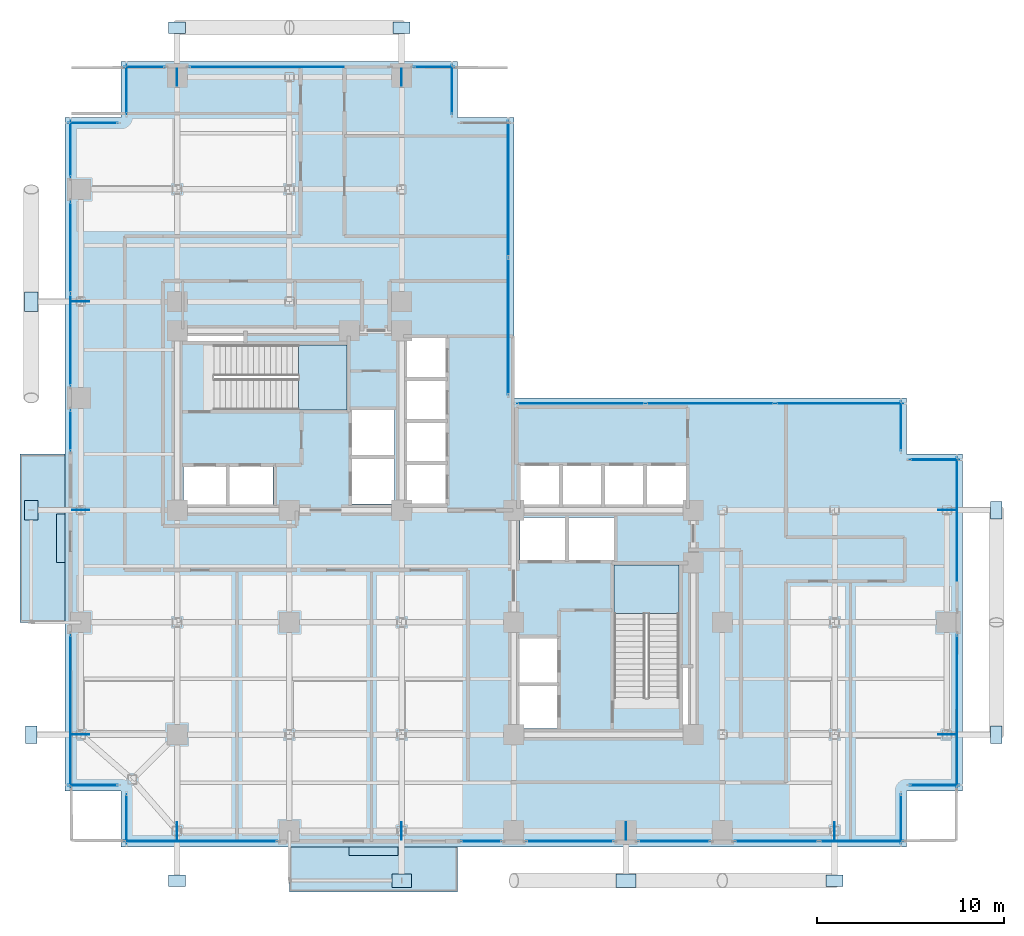
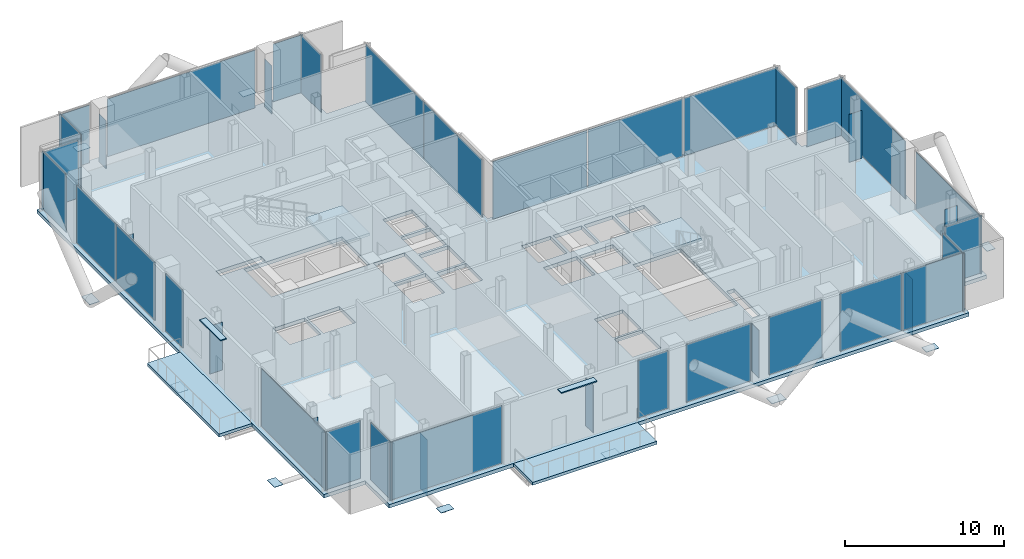
# One storey, part 15 of 25: 54 plates, 5 slabs, 27 elements without a shape of their own.
"""IFC4 building model written with IfcOpenShell, lengths in metres."""

from ifc_helpers import new_model, si_unit, direction, frame, origin, origin_2d, place, context, subcontext, project, spatial, polyline, rectangle, outline, extrude, material, layer, layer_set, type_object, element, aggregate, save


model = new_model("IFC4")

# Units and contexts
model_context = context("Model", 3, precision=1e-05, world=origin(), true_north=direction((0.0, 1.0)))
body_context = subcontext(model_context, "Body", "Model", "MODEL_VIEW")
ifc_project = project(units=[si_unit("LENGTHUNIT", "METRE"), si_unit("AREAUNIT", "SQUARE_METRE"), si_unit("VOLUMEUNIT", "CUBIC_METRE"), si_unit("PLANEANGLEUNIT", "RADIAN"), si_unit("MASSUNIT", "GRAM", prefix="KILO"), si_unit("THERMODYNAMICTEMPERATUREUNIT", "KELVIN"), si_unit("POWERUNIT", "WATT")], contexts=[model_context])

# Site, building, storey
site_placement = place(None, origin())
site = spatial("IfcSite", under=ifc_project, at=site_placement, CompositionType="ELEMENT")
building_placement = place(site_placement, origin())
building = spatial("IfcBuilding", under=site, at=building_placement, Name="Svarakhadi Broadcast Tower", CompositionType="ELEMENT")
storey_placement = place(building_placement, frame((0.0, 0.0, 110.85009765625)))
storey = spatial("IfcBuildingStorey", under=building, at=storey_placement, Name="L26", CompositionType="ELEMENT", Elevation=110.85009765625)

# Curtain wall, plate
ifc_material_1 = material(Name="Anodised Bronze Aluminium AA 6063-T6", Category="aluminium")
ifc_layer_1 = layer(ifc_material_1, 0.239990234375)
ifc_layer_set_1 = layer_set([ifc_layer_1], Name="Anodised Bronze Aluminium AA 6063-T6")
curtain_wall_type = type_object("IfcCurtainWallType", Name="CW_Sys_06", PredefinedType="NOTDEFINED", material=ifc_layer_set_1)
curtain_wall_1_placement = place(storey_placement, origin())
curtain_wall_1 = element("IfcCurtainWall", 1, at=curtain_wall_1_placement, inside=storey, type_object=curtain_wall_type, Name="L26 Unitised Facade Curtain Wall 01", PredefinedType="NOTDEFINED")
ifc_material_2 = material(Name="Double Low-E Laminated Acoustic Glass IGU 36 mm", Category="glass")
ifc_layer_2 = layer(ifc_material_2, 0.0400390625)
ifc_layer_set_2 = layer_set([ifc_layer_2], Name="Double Low-E Laminated Acoustic Glass IGU 36 mm")
plate_type_1 = type_object("IfcPlateType", Name="CW_Sys_06_Pnl", PredefinedType="CURTAIN_PANEL", material=ifc_layer_set_2)
plate_1_placement = place(storey_placement, frame((1.5, 3.300048828125, 0.079833984375), z_axis=(0.0, 0.0, 1.0), x_axis=(-1.0, 0.0, 0.0)))
plate_1 = element("IfcPlate", 2, at=plate_1_placement, type_object=plate_type_1, Name="CW-06 panel 1.1", PredefinedType="CURTAIN_PANEL", context=body_context, shape_type="SweptSolid", body=[
    extrude(rectangle(XDim=2.639892578125, YDim=0.0400390625, at=origin_2d()), origin(), (0.0, 0.0, 1.0), 4.4150390625),
])
aggregate(curtain_wall_1, [plate_1])

curtain_wall_2_placement = place(storey_placement, origin())
curtain_wall_2 = element("IfcCurtainWall", 3, at=curtain_wall_2_placement, inside=storey, type_object=curtain_wall_type, Name="L26 West Curtain Wall 02", PredefinedType="NOTDEFINED")
plate_2_placement = place(storey_placement, frame((0.300048828125, 7.260009765625, 0.079833984375), z_axis=(0.0, 0.0, 1.0), x_axis=(0.0, 1.0, 0.0)))
plate_2 = element("IfcPlate", 4, at=plate_2_placement, type_object=plate_type_1, Name="CW-06 panel 1.1", PredefinedType="CURTAIN_PANEL", context=body_context, shape_type="SweptSolid", body=[
    extrude(rectangle(XDim=8.159912109375, YDim=0.0400390625, at=origin_2d()), origin(), (0.0, 0.0, 1.0), 4.4150390625),
])
aggregate(curtain_wall_2, [plate_2])

curtain_wall_3_placement = place(storey_placement, origin())
curtain_wall_3 = element("IfcCurtainWall", 5, at=curtain_wall_3_placement, inside=storey, type_object=curtain_wall_type, Name="L26 West Curtain Wall 03 Bay 1", PredefinedType="NOTDEFINED")
plate_3_placement = place(storey_placement, frame((0.300048828125, 22.260009765625, 0.079833984375), z_axis=(0.0, 0.0, 1.0), x_axis=(0.0, 1.0, 0.0)))
plate_3 = element("IfcPlate", 6, at=plate_3_placement, type_object=plate_type_1, Name="CW-06 panel 1.1", PredefinedType="CURTAIN_PANEL", context=body_context, shape_type="SweptSolid", body=[
    extrude(rectangle(XDim=2.159912109375, YDim=0.0400390625, at=origin_2d()), origin(), (0.0, 0.0, 1.0), 4.4150390625),
])
aggregate(curtain_wall_3, [plate_3])

# Curtain wall, plates
curtain_wall_4_placement = place(storey_placement, origin())
curtain_wall_4 = element("IfcCurtainWall", 7, at=curtain_wall_4_placement, inside=storey, type_object=curtain_wall_type, Name="L26 West Curtain Wall 03 Bay 2", PredefinedType="NOTDEFINED")
plate_4_placement = place(storey_placement, frame((0.300048828125, 27.094970703125, 0.079833984375), z_axis=(0.0, 0.0, 1.0), x_axis=(0.0, 1.0, 0.0)))
plate_4 = element("IfcPlate", 8, at=plate_4_placement, type_object=plate_type_1, Name="CW-06 panel 1.1", PredefinedType="CURTAIN_PANEL", context=body_context, shape_type="SweptSolid", body=[
    extrude(rectangle(XDim=4.8701171875, YDim=0.0400390625, at=origin_2d()), origin(), (0.0, 0.0, 1.0), 4.4150390625),
])
plate_5_placement = place(storey_placement, frame((0.300048828125, 32.054931640625, 0.079833984375), z_axis=(0.0, 0.0, 1.0), x_axis=(0.0, 1.0, 0.0)))
plate_5 = element("IfcPlate", 9, at=plate_5_placement, type_object=plate_type_1, Name="CW-06 panel 2.1", PredefinedType="CURTAIN_PANEL", context=body_context, shape_type="SweptSolid", body=[
    extrude(rectangle(XDim=4.8701171875, YDim=0.0400390625, at=origin_2d()), origin(), (0.0, 0.0, 1.0), 4.4150390625),
])
aggregate(curtain_wall_4, [plate_4, plate_5])

# Curtain wall, plate
curtain_wall_5_placement = place(storey_placement, origin())
curtain_wall_5 = element("IfcCurtainWall", 10, at=curtain_wall_5_placement, inside=storey, type_object=curtain_wall_type, Name="L26 West Curtain Wall 03 Bay 3", PredefinedType="NOTDEFINED")
plate_6_placement = place(storey_placement, frame((0.300048828125, 37.31494140625, 0.079833984375), z_axis=(0.0, 0.0, 1.0), x_axis=(0.0, 1.0, 0.0)))
plate_6 = element("IfcPlate", 11, at=plate_6_placement, type_object=plate_type_1, Name="CW-06 panel 1.1", PredefinedType="CURTAIN_PANEL", context=body_context, shape_type="SweptSolid", body=[
    extrude(rectangle(XDim=3.010009765625, YDim=0.0400390625, at=origin_2d()), origin(), (0.0, 0.0, 1.0), 4.4150390625),
])
aggregate(curtain_wall_5, [plate_6])

curtain_wall_6_placement = place(storey_placement, origin())
curtain_wall_6 = element("IfcCurtainWall", 12, at=curtain_wall_6_placement, inside=storey, type_object=curtain_wall_type, Name="L26 Unitised Facade Curtain Wall 04", PredefinedType="NOTDEFINED")
plate_7_placement = place(storey_placement, frame((1.5, 38.699951171875, 0.079833984375), z_axis=(0.0, 0.0, 1.0), x_axis=(1.0, 0.0, 0.0)))
plate_7 = element("IfcPlate", 13, at=plate_7_placement, type_object=plate_type_1, Name="CW-06 panel 1.1", PredefinedType="CURTAIN_PANEL", context=body_context, shape_type="SweptSolid", body=[
    extrude(rectangle(XDim=2.639892578125, YDim=0.0400390625, at=origin_2d()), origin(), (0.0, 0.0, 1.0), 4.4150390625),
])
aggregate(curtain_wall_6, [plate_7])

curtain_wall_7_placement = place(storey_placement, origin())
curtain_wall_7 = element("IfcCurtainWall", 14, at=curtain_wall_7_placement, inside=storey, type_object=curtain_wall_type, Name="L26 Unitised Facade Curtain Wall 05", PredefinedType="NOTDEFINED")
plate_8_placement = place(storey_placement, frame((3.300048828125, 40.5, 0.079833984375), z_axis=(0.0, 0.0, 1.0), x_axis=(0.0, 1.0, 0.0)))
plate_8 = element("IfcPlate", 15, at=plate_8_placement, type_object=plate_type_1, Name="CW-06 panel 1.1", PredefinedType="CURTAIN_PANEL", context=body_context, shape_type="SweptSolid", body=[
    extrude(rectangle(XDim=2.639892578125, YDim=0.0400390625, at=origin_2d()), origin(), (0.0, 0.0, 1.0), 4.4150390625),
])
aggregate(curtain_wall_7, [plate_8])

curtain_wall_8_placement = place(storey_placement, origin())
curtain_wall_8 = element("IfcCurtainWall", 16, at=curtain_wall_8_placement, inside=storey, type_object=curtain_wall_type, Name="L26 Unitised Facade Curtain Wall 06 Bay 1", PredefinedType="NOTDEFINED")
plate_9_placement = place(storey_placement, frame((4.260009765625, 41.699951171875, 0.079833984375), z_axis=(0.0, 0.0, 1.0), x_axis=(1.0, 0.0, 0.0)))
plate_9 = element("IfcPlate", 17, at=plate_9_placement, type_object=plate_type_1, Name="CW-06 panel 1.1", PredefinedType="CURTAIN_PANEL", context=body_context, shape_type="SweptSolid", body=[
    extrude(rectangle(XDim=2.159912109375, YDim=0.0400390625, at=origin_2d()), origin(), (0.0, 0.0, 1.0), 4.4150390625),
])
aggregate(curtain_wall_8, [plate_9])

curtain_wall_9_placement = place(storey_placement, origin())
curtain_wall_9 = element("IfcCurtainWall", 18, at=curtain_wall_9_placement, inside=storey, type_object=curtain_wall_type, Name="L26 Unitised Facade Curtain Wall 06 Bay 2", PredefinedType="NOTDEFINED")
plate_10_placement = place(storey_placement, frame((12.0, 41.699951171875, 0.079833984375), z_axis=(0.0, 0.0, 1.0), x_axis=(1.0, 0.0, 0.0)))
plate_10 = element("IfcPlate", 19, at=plate_10_placement, type_object=plate_type_1, Name="CW-06 panel 1.1", PredefinedType="CURTAIN_PANEL", context=body_context, shape_type="SweptSolid", body=[
    extrude(rectangle(XDim=10.679931640625, YDim=0.0400390625, at=origin_2d()), origin(), (0.0, 0.0, 1.0), 4.4150390625),
])
aggregate(curtain_wall_9, [plate_10])

curtain_wall_10_placement = place(storey_placement, origin())
curtain_wall_10 = element("IfcCurtainWall", 20, at=curtain_wall_10_placement, inside=storey, type_object=curtain_wall_type, Name="L26 Unitised Facade Curtain Wall 06 Bay 3", PredefinedType="NOTDEFINED")
plate_11_placement = place(storey_placement, frame((19.739990234375, 41.699951171875, 0.079833984375), z_axis=(0.0, 0.0, 1.0), x_axis=(1.0, 0.0, 0.0)))
plate_11 = element("IfcPlate", 21, at=plate_11_placement, type_object=plate_type_1, Name="CW-06 panel 1.1", PredefinedType="CURTAIN_PANEL", context=body_context, shape_type="SweptSolid", body=[
    extrude(rectangle(XDim=2.159912109375, YDim=0.0400390625, at=origin_2d()), origin(), (0.0, 0.0, 1.0), 4.4150390625),
])
aggregate(curtain_wall_10, [plate_11])

curtain_wall_11_placement = place(storey_placement, origin())
curtain_wall_11 = element("IfcCurtainWall", 22, at=curtain_wall_11_placement, inside=storey, type_object=curtain_wall_type, Name="L26 Unitised Facade Curtain Wall 07", PredefinedType="NOTDEFINED")
plate_12_placement = place(storey_placement, frame((20.699951171875, 40.5, 0.079833984375), z_axis=(0.0, 0.0, 1.0), x_axis=(0.0, -1.0, 0.0)))
plate_12 = element("IfcPlate", 23, at=plate_12_placement, type_object=plate_type_1, Name="CW-06 panel 1.1", PredefinedType="CURTAIN_PANEL", context=body_context, shape_type="SweptSolid", body=[
    extrude(rectangle(XDim=2.639892578125, YDim=0.0400390625, at=origin_2d()), origin(), (0.0, 0.0, 1.0), 4.4150390625),
])
aggregate(curtain_wall_11, [plate_12])

# Curtain wall, plates
curtain_wall_12_placement = place(storey_placement, origin())
curtain_wall_12 = element("IfcCurtainWall", 24, at=curtain_wall_12_placement, inside=storey, type_object=curtain_wall_type, Name="L26 Unitised Facade Curtain Wall 09", PredefinedType="NOTDEFINED")
plate_13_placement = place(storey_placement, frame((23.699951171875, 35.1826171875, 0.079833984375), z_axis=(0.0, 0.0, 1.0), x_axis=(0.0, -1.0, 0.0)))
plate_13 = element("IfcPlate", 25, at=plate_13_placement, type_object=plate_type_1, Name="CW-06 panel 1.1", PredefinedType="CURTAIN_PANEL", context=body_context, shape_type="SweptSolid", body=[
    extrude(rectangle(XDim=7.27490234375, YDim=0.0400390625, at=origin_2d()), origin(), (0.0, 0.0, 1.0), 4.4150390625),
])
plate_14_placement = place(storey_placement, frame((23.699951171875, 27.8173828125, 0.079833984375), z_axis=(0.0, 0.0, 1.0), x_axis=(0.0, -1.0, 0.0)))
plate_14 = element("IfcPlate", 26, at=plate_14_placement, type_object=plate_type_1, Name="CW-06 panel 2.1", PredefinedType="CURTAIN_PANEL", context=body_context, shape_type="SweptSolid", body=[
    extrude(rectangle(XDim=7.27490234375, YDim=0.0400390625, at=origin_2d()), origin(), (0.0, 0.0, 1.0), 4.4150390625),
])
aggregate(curtain_wall_12, [plate_13, plate_14])

curtain_wall_13_placement = place(storey_placement, origin())
curtain_wall_13 = element("IfcCurtainWall", 27, at=curtain_wall_13_placement, inside=storey, type_object=curtain_wall_type, Name="L26 Unitised Facade Curtain Wall 10", PredefinedType="NOTDEFINED")
plate_15_placement = place(storey_placement, frame((27.58251953125, 23.699951171875, 0.079833984375), z_axis=(0.0, 0.0, 1.0), x_axis=(1.0, 0.0, 0.0)))
plate_15 = element("IfcPlate", 28, at=plate_15_placement, type_object=plate_type_1, Name="CW-06 panel 1.1", PredefinedType="CURTAIN_PANEL", context=body_context, shape_type="SweptSolid", body=[
    extrude(rectangle(XDim=6.804931640625, YDim=0.0400390625, at=origin_2d()), origin(), (0.0, 0.0, 1.0), 4.4150390625),
])
plate_16_placement = place(storey_placement, frame((34.5, 23.699951171875, 0.079833984375), z_axis=(0.0, 0.0, 1.0), x_axis=(1.0, 0.0, 0.0)))
plate_16 = element("IfcPlate", 29, at=plate_16_placement, type_object=plate_type_1, Name="CW-06 panel 2.1", PredefinedType="CURTAIN_PANEL", context=body_context, shape_type="SweptSolid", body=[
    extrude(rectangle(XDim=6.85009765625, YDim=0.0400390625, at=origin_2d()), origin(), (0.0, 0.0, 1.0), 4.4150390625),
])
plate_17_placement = place(storey_placement, frame((41.41748046875, 23.699951171875, 0.079833984375), z_axis=(0.0, 0.0, 1.0), x_axis=(1.0, 0.0, 0.0)))
plate_17 = element("IfcPlate", 30, at=plate_17_placement, type_object=plate_type_1, Name="CW-06 panel 3.1", PredefinedType="CURTAIN_PANEL", context=body_context, shape_type="SweptSolid", body=[
    extrude(rectangle(XDim=6.804931640625, YDim=0.0400390625, at=origin_2d()), origin(), (0.0, 0.0, 1.0), 4.4150390625),
])
aggregate(curtain_wall_13, [plate_15, plate_16, plate_17])

# Curtain wall, plate
curtain_wall_14_placement = place(storey_placement, origin())
curtain_wall_14 = element("IfcCurtainWall", 31, at=curtain_wall_14_placement, inside=storey, type_object=curtain_wall_type, Name="L26 Unitised Facade Curtain Wall 11", PredefinedType="NOTDEFINED")
plate_18_placement = place(storey_placement, frame((44.699951171875, 22.5, 0.079833984375), z_axis=(0.0, 0.0, 1.0), x_axis=(0.0, -1.0, 0.0)))
plate_18 = element("IfcPlate", 32, at=plate_18_placement, type_object=plate_type_1, Name="CW-06 panel 1.1", PredefinedType="CURTAIN_PANEL", context=body_context, shape_type="SweptSolid", body=[
    extrude(rectangle(XDim=2.639892578125, YDim=0.0400390625, at=origin_2d()), origin(), (0.0, 0.0, 1.0), 4.4150390625),
])
aggregate(curtain_wall_14, [plate_18])

curtain_wall_15_placement = place(storey_placement, origin())
curtain_wall_15 = element("IfcCurtainWall", 33, at=curtain_wall_15_placement, inside=storey, type_object=curtain_wall_type, Name="L26 Unitised Facade Curtain Wall 12", PredefinedType="NOTDEFINED")
plate_19_placement = place(storey_placement, frame((46.5, 20.699951171875, 0.079833984375), z_axis=(0.0, 0.0, 1.0), x_axis=(1.0, 0.0, 0.0)))
plate_19 = element("IfcPlate", 34, at=plate_19_placement, type_object=plate_type_1, Name="CW-06 panel 1.1", PredefinedType="CURTAIN_PANEL", context=body_context, shape_type="SweptSolid", body=[
    extrude(rectangle(XDim=2.639892578125, YDim=0.0400390625, at=origin_2d()), origin(), (0.0, 0.0, 1.0), 4.4150390625),
])
aggregate(curtain_wall_15, [plate_19])

curtain_wall_16_placement = place(storey_placement, origin())
curtain_wall_16 = element("IfcCurtainWall", 35, at=curtain_wall_16_placement, inside=storey, type_object=curtain_wall_type, Name="L26 Unitised Facade Curtain Wall 13 Bay 1", PredefinedType="NOTDEFINED")
plate_20_placement = place(storey_placement, frame((47.699951171875, 16.739990234375, 0.079833984375), z_axis=(0.0, 0.0, 1.0), x_axis=(0.0, -1.0, 0.0)))
plate_20 = element("IfcPlate", 36, at=plate_20_placement, type_object=plate_type_1, Name="CW-06 panel 1.1", PredefinedType="CURTAIN_PANEL", context=body_context, shape_type="SweptSolid", body=[
    extrude(rectangle(XDim=8.159912109375, YDim=0.0400390625, at=origin_2d()), origin(), (0.0, 0.0, 1.0), 4.4150390625),
])
aggregate(curtain_wall_16, [plate_20])

curtain_wall_17_placement = place(storey_placement, origin())
curtain_wall_17 = element("IfcCurtainWall", 37, at=curtain_wall_17_placement, inside=storey, type_object=curtain_wall_type, Name="L26 Unitised Facade Curtain Wall 13 Bay 2", PredefinedType="NOTDEFINED")
plate_21_placement = place(storey_placement, frame((47.699951171875, 7.260009765625, 0.079833984375), z_axis=(0.0, 0.0, 1.0), x_axis=(0.0, -1.0, 0.0)))
plate_21 = element("IfcPlate", 38, at=plate_21_placement, type_object=plate_type_1, Name="CW-06 panel 1.1", PredefinedType="CURTAIN_PANEL", context=body_context, shape_type="SweptSolid", body=[
    extrude(rectangle(XDim=8.159912109375, YDim=0.0400390625, at=origin_2d()), origin(), (0.0, 0.0, 1.0), 4.4150390625),
])
aggregate(curtain_wall_17, [plate_21])

curtain_wall_18_placement = place(storey_placement, origin())
curtain_wall_18 = element("IfcCurtainWall", 39, at=curtain_wall_18_placement, inside=storey, type_object=curtain_wall_type, Name="L26 Unitised Facade Curtain Wall 14", PredefinedType="NOTDEFINED")
plate_22_placement = place(storey_placement, frame((46.5, 3.300048828125, 0.079833984375), z_axis=(0.0, 0.0, 1.0), x_axis=(-1.0, 0.0, 0.0)))
plate_22 = element("IfcPlate", 40, at=plate_22_placement, type_object=plate_type_1, Name="CW-06 panel 1.1", PredefinedType="CURTAIN_PANEL", context=body_context, shape_type="SweptSolid", body=[
    extrude(rectangle(XDim=2.639892578125, YDim=0.0400390625, at=origin_2d()), origin(), (0.0, 0.0, 1.0), 4.4150390625),
])
aggregate(curtain_wall_18, [plate_22])

curtain_wall_19_placement = place(storey_placement, origin())
curtain_wall_19 = element("IfcCurtainWall", 41, at=curtain_wall_19_placement, inside=storey, type_object=curtain_wall_type, Name="L26 Unitised Facade Curtain Wall 15", PredefinedType="NOTDEFINED")
plate_23_placement = place(storey_placement, frame((44.699951171875, 1.5, 0.079833984375), z_axis=(0.0, 0.0, 1.0), x_axis=(0.0, -1.0, 0.0)))
plate_23 = element("IfcPlate", 42, at=plate_23_placement, type_object=plate_type_1, Name="CW-06 panel 1.1", PredefinedType="CURTAIN_PANEL", context=body_context, shape_type="SweptSolid", body=[
    extrude(rectangle(XDim=2.639892578125, YDim=0.0400390625, at=origin_2d()), origin(), (0.0, 0.0, 1.0), 4.4150390625),
])
aggregate(curtain_wall_19, [plate_23])

# Curtain wall, plates
curtain_wall_20_placement = place(storey_placement, origin())
curtain_wall_20 = element("IfcCurtainWall", 43, at=curtain_wall_20_placement, inside=storey, type_object=curtain_wall_type, Name="L26 South Curtain Wall 16 Bay 1", PredefinedType="NOTDEFINED")
plate_24_placement = place(storey_placement, frame((42.590087890625, 0.300048828125, 0.079833984375), z_axis=(0.0, 0.0, 1.0), x_axis=(-1.0, 0.0, 0.0)))
plate_24 = element("IfcPlate", 44, at=plate_24_placement, type_object=plate_type_1, Name="CW-06 panel 1.1", PredefinedType="CURTAIN_PANEL", context=body_context, shape_type="SweptSolid", body=[
    extrude(rectangle(XDim=4.4599609375, YDim=0.0400390625, at=origin_2d()), origin(), (0.0, 0.0, 1.0), 4.4150390625),
])
plate_25_placement = place(storey_placement, frame((38.0400390625, 0.300048828125, 0.079833984375), z_axis=(0.0, 0.0, 1.0), x_axis=(-1.0, 0.0, 0.0)))
plate_25 = element("IfcPlate", 45, at=plate_25_placement, type_object=plate_type_1, Name="CW-06 panel 2.1", PredefinedType="CURTAIN_PANEL", context=body_context, shape_type="SweptSolid", body=[
    extrude(rectangle(XDim=4.4599609375, YDim=0.0400390625, at=origin_2d()), origin(), (0.0, 0.0, 1.0), 4.4150390625),
])
aggregate(curtain_wall_20, [plate_24, plate_25])

# Curtain wall, plate
curtain_wall_21_placement = place(storey_placement, origin())
curtain_wall_21 = element("IfcCurtainWall", 46, at=curtain_wall_21_placement, inside=storey, type_object=curtain_wall_type, Name="L26 South Curtain Wall 16 Bay 2", PredefinedType="NOTDEFINED")
plate_26_placement = place(storey_placement, frame((32.574951171875, 0.300048828125, 0.079833984375), z_axis=(0.0, 0.0, 1.0), x_axis=(-1.0, 0.0, 0.0)))
plate_26 = element("IfcPlate", 47, at=plate_26_placement, type_object=plate_type_1, Name="CW-06 panel 1.1", PredefinedType="CURTAIN_PANEL", context=body_context, shape_type="SweptSolid", body=[
    extrude(rectangle(XDim=3.830078125, YDim=0.0400390625, at=origin_2d()), origin(), (0.0, 0.0, 1.0), 4.4150390625),
])
aggregate(curtain_wall_21, [plate_26])

curtain_wall_22_placement = place(storey_placement, origin())
curtain_wall_22 = element("IfcCurtainWall", 48, at=curtain_wall_22_placement, inside=storey, type_object=curtain_wall_type, Name="L26 South Curtain Wall 16 Bay 3", PredefinedType="NOTDEFINED")
plate_27_placement = place(storey_placement, frame((27.0, 0.300048828125, 0.079833984375), z_axis=(0.0, 0.0, 1.0), x_axis=(-1.0, 0.0, 0.0)))
plate_27 = element("IfcPlate", 49, at=plate_27_placement, type_object=plate_type_1, Name="CW-06 panel 1.1", PredefinedType="CURTAIN_PANEL", context=body_context, shape_type="SweptSolid", body=[
    extrude(rectangle(XDim=4.679931640625, YDim=0.0400390625, at=origin_2d()), origin(), (0.0, 0.0, 1.0), 4.4150390625),
])
aggregate(curtain_wall_22, [plate_27])

curtain_wall_23_placement = place(storey_placement, origin())
curtain_wall_23 = element("IfcCurtainWall", 50, at=curtain_wall_23_placement, inside=storey, type_object=curtain_wall_type, Name="L26 South Curtain Wall 16 Bay 4", PredefinedType="NOTDEFINED")
plate_28_placement = place(storey_placement, frame((22.260009765625, 0.300048828125, 0.079833984375), z_axis=(0.0, 0.0, 1.0), x_axis=(-1.0, 0.0, 0.0)))
plate_28 = element("IfcPlate", 51, at=plate_28_placement, type_object=plate_type_1, Name="CW-06 panel 1.1", PredefinedType="CURTAIN_PANEL", context=body_context, shape_type="SweptSolid", body=[
    extrude(rectangle(XDim=2.159912109375, YDim=0.0400390625, at=origin_2d()), origin(), (0.0, 0.0, 1.0), 4.4150390625),
])
aggregate(curtain_wall_23, [plate_28])

curtain_wall_24_placement = place(storey_placement, origin())
curtain_wall_24 = element("IfcCurtainWall", 52, at=curtain_wall_24_placement, inside=storey, type_object=curtain_wall_type, Name="L26 South Curtain Wall 17", PredefinedType="NOTDEFINED")
plate_29_placement = place(storey_placement, frame((7.260009765625, 0.300048828125, 0.079833984375), z_axis=(0.0, 0.0, 1.0), x_axis=(-1.0, 0.0, 0.0)))
plate_29 = element("IfcPlate", 53, at=plate_29_placement, type_object=plate_type_1, Name="CW-06 panel 1.1", PredefinedType="CURTAIN_PANEL", context=body_context, shape_type="SweptSolid", body=[
    extrude(rectangle(XDim=8.159912109375, YDim=0.0400390625, at=origin_2d()), origin(), (0.0, 0.0, 1.0), 4.4150390625),
])
aggregate(curtain_wall_24, [plate_29])

curtain_wall_25_placement = place(storey_placement, origin())
curtain_wall_25 = element("IfcCurtainWall", 54, at=curtain_wall_25_placement, inside=storey, type_object=curtain_wall_type, Name="L26 Unitised Facade Curtain Wall 18", PredefinedType="NOTDEFINED")
plate_30_placement = place(storey_placement, frame((3.300048828125, 1.5, 0.079833984375), z_axis=(0.0, 0.0, 1.0), x_axis=(0.0, 1.0, 0.0)))
plate_30 = element("IfcPlate", 55, at=plate_30_placement, type_object=plate_type_1, Name="CW-06 panel 1.1", PredefinedType="CURTAIN_PANEL", context=body_context, shape_type="SweptSolid", body=[
    extrude(rectangle(XDim=2.639892578125, YDim=0.0400390625, at=origin_2d()), origin(), (0.0, 0.0, 1.0), 4.4150390625),
])
aggregate(curtain_wall_25, [plate_30])

# Plates
ifc_material_3 = material(Name="Steel S460ML (IS 2062 E450BR)", Category="steel")
ifc_layer_3 = layer(ifc_material_3, 0.031982421875)
ifc_layer_set_3 = layer_set([ifc_layer_3], Name="Steel S460ML (IS 2062 E450BR)")
plate_type_2 = type_object("IfcPlateType", Name="Node_Gusset_N02", PredefinedType="SHEET", material=ifc_layer_set_3)
for number, where, z_axis, x_axis, name in (
    (56, (18.0, -1.800048828125, -0.27490234375), (0.0, 0.0, 1.0), (1.0, 0.0, 0.0), "L26 Exoskeleton Gusset Node Plate S02"),
    (57, (30.0, -1.800048828125, -0.27490234375), (0.0, 0.0, 1.0), (1.0, 0.0, 0.0), "L26 Exoskeleton Gusset Node Plate S03"),
    (58, (-1.800048828125, 18.0, -0.27490234375), (0.0, 0.0, 1.0), (0.0, 1.0, 0.0), "L26 Exoskeleton Gusset Node Plate W06"),
    (59, (-1.800048828125, 29.14990234375, -0.27490234375), (0.0, 0.0, 1.0), (0.0, 1.0, 0.0), "L26 Exoskeleton Gusset Node Plate W07"),
):
    element("IfcPlate", number, at=place(storey_placement, frame(where, z_axis=z_axis, x_axis=x_axis)), inside=storey, type_object=plate_type_2, Name=name, PredefinedType="SHEET", context=body_context, shape_type="SweptSolid", body=[
        extrude(rectangle(XDim=1.050048828125, YDim=0.719970703125, at=origin_2d()), origin(), (0.0, 0.0, 1.0), 0.031982421875),
    ])
ifc_layer_4 = layer(ifc_material_3, 0.02587890625)
ifc_layer_set_4 = layer_set([ifc_layer_4], Name="Steel S460ML (IS 2062 E450BR)")
plate_type_3 = type_object("IfcPlateType", Name="Node_Gusset_N07", PredefinedType="SHEET", material=ifc_layer_set_4)
for number, where, z_axis, x_axis, name in (
    (60, (6.0, -1.800048828125, -0.275146484375), (0.0, 0.0, 1.0), (1.0, 0.0, 0.0), "L26 Exoskeleton Gusset Node Plate S01"),
    (61, (41.14990234375, -1.800048828125, -0.275146484375), (0.0, 0.0, 1.0), (1.0, 0.0, 0.0), "L26 Exoskeleton Gusset Node Plate S04"),
    (62, (-1.800048828125, 6.0, -0.275146484375), (0.0, 0.0, 1.0), (0.0, 1.0, 0.0), "L26 Exoskeleton Gusset Node Plate W05"),
    (63, (49.800048828125, 6.0, -0.275146484375), (0.0, 0.0, 1.0), (0.0, 1.0, 0.0), "L26 Exoskeleton Gusset Node Plate E08"),
    (64, (49.800048828125, 18.0, -0.275146484375), (0.0, 0.0, 1.0), (0.0, 1.0, 0.0), "L26 Exoskeleton Gusset Node Plate E09"),
    (65, (6.0, 43.800048828125, -0.275146484375), (0.0, 0.0, 1.0), (1.0, 0.0, 0.0), "L26 Exoskeleton Gusset Node Plate N10"),
    (66, (18.0, 43.800048828125, -0.275146484375), (0.0, 0.0, 1.0), (1.0, 0.0, 0.0), "L26 Exoskeleton Gusset Node Plate N11"),
):
    element("IfcPlate", number, at=place(storey_placement, frame(where, z_axis=z_axis, x_axis=x_axis)), inside=storey, type_object=plate_type_3, Name=name, PredefinedType="SHEET", context=body_context, shape_type="SweptSolid", body=[
        extrude(rectangle(XDim=0.919921875, YDim=0.6201171875, at=origin_2d()), origin(), (0.0, 0.0, 1.0), 0.02587890625),
    ])
for number, where, z_axis, x_axis, name in (
    (67, (6.0, 0.85009765625, -0.63720703125), (0.0, 0.0, 1.0), (0.0, 1.0, 0.0), "L26 Brace End Connection Gusset Plate N-07-E0208"),
    (68, (18.0, 0.85009765625, -0.63720703125), (0.0, 0.0, 1.0), (0.0, 1.0, 0.0), "L26 Brace End Connection Gusset Plate N-07-E0209"),
    (69, (30.0, 0.85009765625, -0.63720703125), (0.0, 0.0, 1.0), (0.0, 1.0, 0.0), "L26 Brace End Connection Gusset Plate N-07-E0210"),
    (70, (41.14990234375, 0.85009765625, -0.63720703125), (0.0, 0.0, 1.0), (0.0, 1.0, 0.0), "L26 Brace End Connection Gusset Plate N-07-E0211"),
    (71, (0.85009765625, 6.0, -0.63720703125), (0.0, 0.0, 1.0), (1.0, 0.0, 0.0), "L26 Brace End Connection Gusset Plate N-07-E0212"),
    (72, (0.85009765625, 18.0, -0.63720703125), (0.0, 0.0, 1.0), (1.0, 0.0, 0.0), "L26 Brace End Connection Gusset Plate N-07-E0213"),
    (73, (0.85009765625, 29.14990234375, -0.63720703125), (0.0, 0.0, 1.0), (1.0, 0.0, 0.0), "L26 Brace End Connection Gusset Plate N-07-E0214"),
    (74, (47.14990234375, 6.0, -0.63720703125), (0.0, 0.0, 1.0), (1.0, 0.0, 0.0), "L26 Brace End Connection Gusset Plate N-07-E0215"),
    (75, (47.14990234375, 18.0, -0.63720703125), (0.0, 0.0, 1.0), (1.0, 0.0, 0.0), "L26 Brace End Connection Gusset Plate N-07-E0216"),
    (76, (6.0, 41.14990234375, -0.63720703125), (0.0, 0.0, 1.0), (0.0, 1.0, 0.0), "L26 Brace End Connection Gusset Plate N-07-E0217"),
    (77, (18.0, 41.14990234375, -0.63720703125), (0.0, 0.0, 1.0), (0.0, 1.0, 0.0), "L26 Brace End Connection Gusset Plate N-07-E0218"),
):
    element("IfcPlate", number, at=place(storey_placement, frame(where, z_axis=z_axis, x_axis=x_axis)), inside=storey, type_object=plate_type_3, Name=name, PredefinedType="SHEET", context=body_context, shape_type="SweptSolid", body=[
        extrude(rectangle(XDim=0.919921875, YDim=0.02587890625, at=origin_2d()), origin(), (0.0, 0.0, 1.0), 4.300048828125),
    ])

# Slab
ifc_material_4 = material(Name="Concrete C40/50 (IS 456 M50)", Category="concrete")
ifc_layer_5 = layer(ifc_material_4, 0.27490234375)
ifc_layer_set_5 = layer_set([ifc_layer_5], Name="Concrete C40/50 (IS 456 M50)")
slab_type_1 = type_object("IfcSlabType", Name="Slab_Floor_275", PredefinedType="FLOOR", material=ifc_layer_set_5)
slab_1_placement = place(storey_placement, frame((0.0, 0.0, -0.275146484375)))
element("IfcSlab", 78, at=slab_1_placement, inside=storey, type_object=slab_type_1, Name="L26 Structural Floor Slab", PredefinedType="FLOOR", context=body_context, shape_type="SweptSolid", body=[
    extrude(outline(polyline([(3.0, 0.0), (45.0, 0.0), (45.0, 3.0), (48.0, 3.0), (48.0, 21.0), (45.0, 21.0), (45.0, 24.0), (24.0, 24.0), (24.0, 39.0), (21.0, 39.0), (21.0, 42.0), (3.0, 42.0), (3.0, 39.0), (0.0, 39.0), (0.0, 3.0), (3.0, 3.0), (3.0, 0.0)]), holes=[polyline([(7.97998046875, 23.360107421875), (15.080078125, 23.360107421875), (15.080078125, 26.840087890625), (7.97998046875, 26.840087890625), (7.97998046875, 23.360107421875)]), polyline([(32.840087890625, 7.97998046875), (32.840087890625, 15.080078125), (29.360107421875, 15.080078125), (29.360107421875, 7.97998046875), (32.840087890625, 7.97998046875)]), polyline([(6.340087890625, 18.2900390625), (8.610107421875, 18.2900390625), (8.610107421875, 20.330078125), (6.340087890625, 20.330078125), (6.340087890625, 18.2900390625)]), polyline([(8.7900390625, 18.2900390625), (11.1298828125, 18.2900390625), (11.1298828125, 20.330078125), (8.7900390625, 20.330078125), (8.7900390625, 18.2900390625)]), polyline([(24.2900390625, 6.340087890625), (26.330078125, 6.340087890625), (26.330078125, 8.610107421875), (24.2900390625, 8.610107421875), (24.2900390625, 6.340087890625)]), polyline([(24.2900390625, 8.7900390625), (26.330078125, 8.7900390625), (26.330078125, 11.1298828125), (24.2900390625, 11.1298828125), (24.2900390625, 8.7900390625)]), polyline([(6.340087890625, 26.989990234375), (9.610107421875, 26.989990234375), (9.610107421875, 27.530029296875), (6.340087890625, 27.530029296875), (6.340087890625, 26.989990234375)]), polyline([(32.989990234375, 6.340087890625), (33.530029296875, 6.340087890625), (33.530029296875, 9.610107421875), (32.989990234375, 9.610107421875), (32.989990234375, 6.340087890625)]), polyline([(15.340087890625, 18.340087890625), (17.610107421875, 18.340087890625), (17.610107421875, 20.760009765625), (15.340087890625, 20.760009765625), (15.340087890625, 18.340087890625)]), polyline([(15.340087890625, 20.93994140625), (17.610107421875, 20.93994140625), (17.610107421875, 23.360107421875), (15.340087890625, 23.360107421875), (15.340087890625, 20.93994140625)]), polyline([(24.340087890625, 15.340087890625), (26.760009765625, 15.340087890625), (26.760009765625, 17.610107421875), (24.340087890625, 17.610107421875), (24.340087890625, 15.340087890625)]), polyline([(26.93994140625, 15.340087890625), (29.360107421875, 15.340087890625), (29.360107421875, 17.610107421875), (26.93994140625, 17.610107421875), (26.93994140625, 15.340087890625)]), polyline([(18.239990234375, 18.340087890625), (20.360107421875, 18.340087890625), (20.360107421875, 20.429931640625), (18.239990234375, 20.429931640625), (18.239990234375, 18.340087890625)]), polyline([(18.239990234375, 20.610107421875), (20.360107421875, 20.610107421875), (20.360107421875, 22.679931640625), (18.239990234375, 22.679931640625), (18.239990234375, 20.610107421875)]), polyline([(18.239990234375, 22.860107421875), (20.360107421875, 22.860107421875), (20.360107421875, 24.929931640625), (18.239990234375, 24.929931640625), (18.239990234375, 22.860107421875)]), polyline([(18.239990234375, 25.110107421875), (20.360107421875, 25.110107421875), (20.360107421875, 27.2099609375), (18.239990234375, 27.2099609375), (18.239990234375, 25.110107421875)]), polyline([(24.340087890625, 18.239990234375), (26.429931640625, 18.239990234375), (26.429931640625, 20.360107421875), (24.340087890625, 20.360107421875), (24.340087890625, 18.239990234375)]), polyline([(26.610107421875, 18.239990234375), (28.679931640625, 18.239990234375), (28.679931640625, 20.360107421875), (26.610107421875, 20.360107421875), (26.610107421875, 18.239990234375)]), polyline([(28.860107421875, 18.239990234375), (30.929931640625, 18.239990234375), (30.929931640625, 20.360107421875), (28.860107421875, 20.360107421875), (28.860107421875, 18.239990234375)]), polyline([(31.110107421875, 18.239990234375), (33.2099609375, 18.239990234375), (33.2099609375, 20.360107421875), (31.110107421875, 20.360107421875), (31.110107421875, 18.239990234375)])]), origin(), (0.0, 0.0, 1.0), 0.275146484375),
])

# Stair, slab
stair_type = type_object("IfcStairType", Name="Stair_Exit_Core", PredefinedType="HALF_TURN_STAIR", material=ifc_material_4)
stair_1_placement = place(storey_placement, origin())
stair_1 = element("IfcStair", 79, at=stair_1_placement, inside=storey, type_object=stair_type, Name="L26 West Core Protected Exit Stair ST-01", PredefinedType="HALF_TURN_STAIR")
ifc_layer_6 = layer(ifc_material_4, 0.199951171875)
ifc_layer_set_6 = layer_set([ifc_layer_6], Name="Concrete C40/50 (IS 456 M50)")
slab_type_2 = type_object("IfcSlabType", Name="Slab_Stair_Land", PredefinedType="LANDING", material=ifc_layer_set_6)
slab_2_placement = place(storey_placement, frame((0.0, 0.0, 2.199951171875)))
slab_2 = element("IfcSlab", 80, at=slab_2_placement, type_object=slab_type_2, Name="ST-01 landing 1", PredefinedType="LANDING", context=body_context, shape_type="SweptSolid", body=[
    extrude(outline(polyline([(12.47998046875, 23.360107421875), (15.080078125, 23.360107421875), (15.080078125, 26.840087890625), (12.47998046875, 26.840087890625), (12.47998046875, 23.360107421875)])), origin(), (0.0, 0.0, 1.0), 0.199951171875),
])
aggregate(stair_1, [slab_2])

stair_2_placement = place(storey_placement, origin())
stair_2 = element("IfcStair", 81, at=stair_2_placement, inside=storey, type_object=stair_type, Name="L26 East Core Protected Exit Stair ST-02", PredefinedType="HALF_TURN_STAIR")
slab_3_placement = place(storey_placement, frame((0.0, 0.0, 2.199951171875)))
slab_3 = element("IfcSlab", 82, at=slab_3_placement, type_object=slab_type_2, Name="ST-02 landing 1", PredefinedType="LANDING", context=body_context, shape_type="SweptSolid", body=[
    extrude(outline(polyline([(32.840087890625, 12.47998046875), (32.840087890625, 15.080078125), (29.360107421875, 15.080078125), (29.360107421875, 12.47998046875), (32.840087890625, 12.47998046875)])), origin(), (0.0, 0.0, 1.0), 0.199951171875),
])
aggregate(stair_2, [slab_3])

# Slabs
ifc_layer_7 = layer(ifc_material_4, 0.22509765625)
ifc_layer_set_7 = layer_set([ifc_layer_7], Name="Concrete C40/50 (IS 456 M50)")
slab_type_3 = type_object("IfcSlabType", Name="Slab_TreeBalcony", PredefinedType="FLOOR", material=ifc_layer_set_7)
slab_4_placement = place(storey_placement, frame((0.0, 0.0, -0.22509765625)))
element("IfcSlab", 83, at=slab_4_placement, inside=storey, type_object=slab_type_3, Name="L26 Planted Tree Balcony Slab BAL-S", PredefinedType="FLOOR", context=body_context, shape_type="SweptSolid", body=[
    extrude(outline(polyline([(12.0, -2.39990234375), (21.0, -2.39990234375), (21.0, 0.0), (12.0, 0.0), (12.0, -2.39990234375)])), origin(), (0.0, 0.0, 1.0), 0.22509765625),
])
slab_5_placement = place(storey_placement, frame((0.0, 0.0, -0.22509765625)))
element("IfcSlab", 84, at=slab_5_placement, inside=storey, type_object=slab_type_3, Name="L26 Planted Tree Balcony Slab BAL-W", PredefinedType="FLOOR", context=body_context, shape_type="SweptSolid", body=[
    extrude(outline(polyline([(-2.39990234375, 12.0), (0.0, 12.0), (0.0, 21.0), (-2.39990234375, 21.0), (-2.39990234375, 12.0)])), origin(), (0.0, 0.0, 1.0), 0.22509765625),
])

# Plates
ifc_layer_8 = layer(ifc_material_1, 0.080078125)
ifc_layer_set_8 = layer_set([ifc_layer_8], Name="Anodised Bronze Aluminium AA 6063-T6")
plate_type_4 = type_object("IfcPlateType", Name="Sunshade_Fin_SS01", PredefinedType="USERDEFINED", material=ifc_layer_set_8)
for number, where, z_axis, x_axis, name in (
    (85, (16.5, -0.22509765625, 4.494873046875), (0.0, 0.0, 1.0), (1.0, 0.0, 0.0), "L26 South Bronze Brise-Soleil Sunshade SS-01"),
    (86, (-0.22509765625, 16.5, 4.494873046875), (0.0, 0.0, 1.0), (0.0, 1.0, 0.0), "L26 West Bronze Brise-Soleil Sunshade SS-01"),
):
    element("IfcPlate", number, at=place(storey_placement, frame(where, z_axis=z_axis, x_axis=x_axis)), inside=storey, type_object=plate_type_4, Name=name, ObjectType="SUNSHADE", PredefinedType="USERDEFINED", context=body_context, shape_type="SweptSolid", body=[
        extrude(rectangle(XDim=2.60009765625, YDim=0.449951171875, at=origin_2d()), origin(), (0.0, 0.0, 1.0), 0.080078125),
    ])

save(model, "model.ifc")
